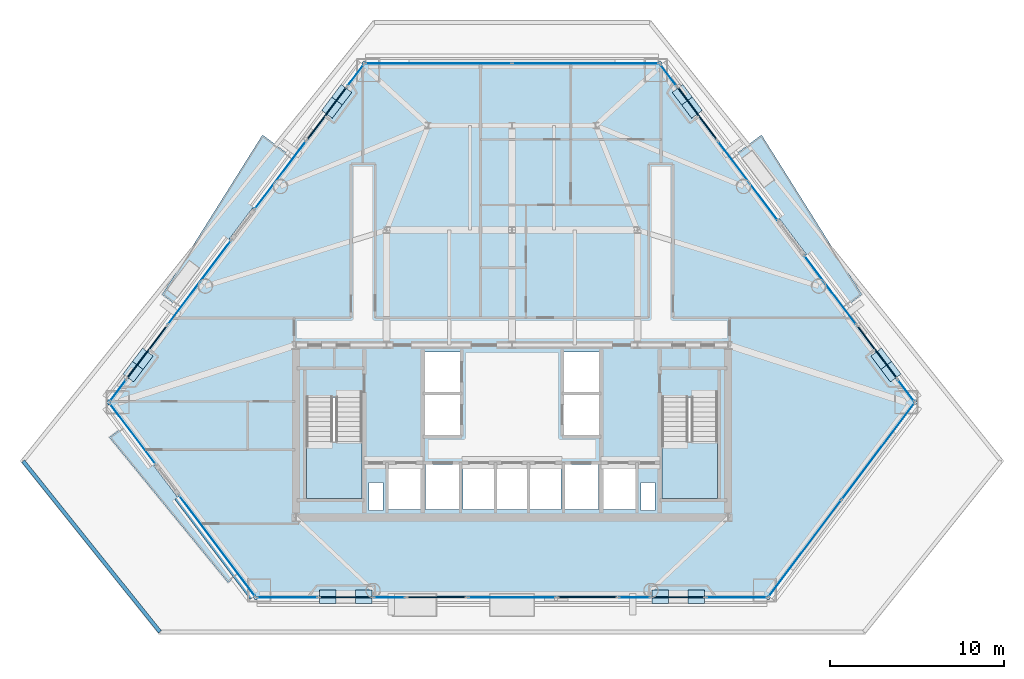
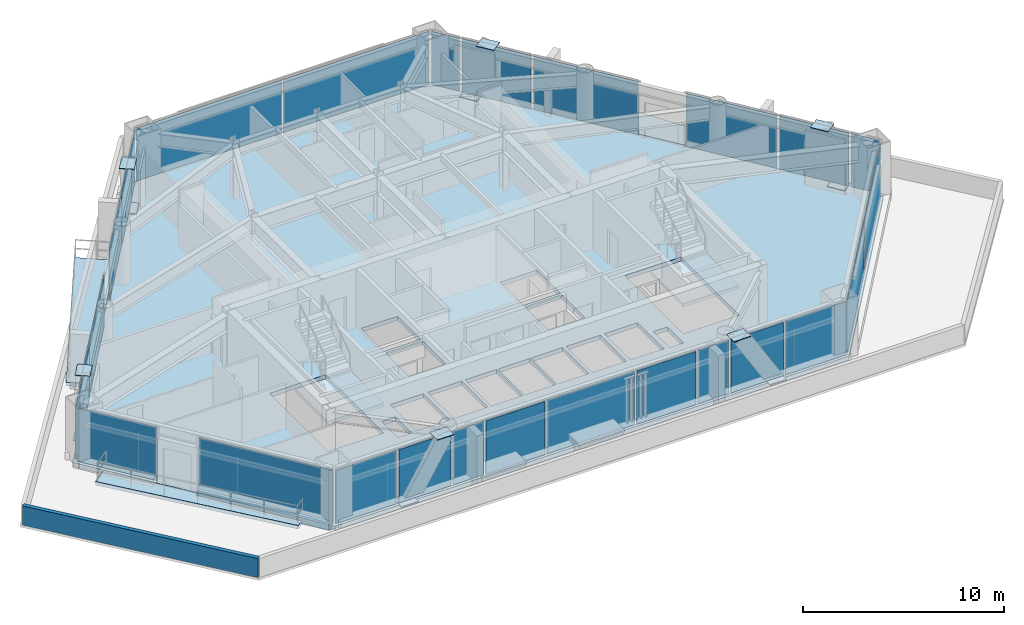
# One storey, part 6 of 13: 39 plates, 6 slabs, 2 walls, 27 elements without a shape of their own.
"""IFC4 building model written with IfcOpenShell, lengths in metres."""

from ifc_helpers import new_model, si_unit, direction, frame, frame_2d, origin, origin_2d, place, context, subcontext, project, spatial, polyline, rectangle, outline, extrude, source, transform, mapped, material, layer, layer_set, type_object, type_shapes, element, aggregate, save


model = new_model("IFC4")

# Units and contexts
model_context = context("Model", 3, precision=1e-05, world=origin(), true_north=direction((0.0, 1.0)))
body_context = subcontext(model_context, "Body", "Model", "MODEL_VIEW")
ifc_project = project(units=[si_unit("LENGTHUNIT", "METRE"), si_unit("AREAUNIT", "SQUARE_METRE"), si_unit("VOLUMEUNIT", "CUBIC_METRE"), si_unit("PLANEANGLEUNIT", "RADIAN"), si_unit("MASSUNIT", "GRAM", prefix="KILO")], contexts=[model_context])

# Site, building, storey
site_placement = place(None, origin())
site = spatial("IfcSite", under=ifc_project, at=site_placement, CompositionType="ELEMENT")
building_placement = place(site_placement, origin())
building = spatial("IfcBuilding", under=site, at=building_placement, Name="Talgorran Terracotta Tower", CompositionType="ELEMENT")
storey_placement = place(building_placement, frame((0.0, 0.0, 24.300048828125)))
storey = spatial("IfcBuildingStorey", under=building, at=storey_placement, Name="L05", CompositionType="ELEMENT", Elevation=24.300048828125)

# Plates
ifc_material_1 = material(Name="Steel Grade 350 (350L0)", Category="steel")
ifc_layer_1 = layer(ifc_material_1, 0.0400390625, Name="PL_CAP_MN05")
ifc_layer_set_1 = layer_set([ifc_layer_1], Name="Steel Grade 350 (350L0)")
plate_type_1 = type_object("IfcPlateType", Name="PL_CAP_MN05", PredefinedType="USERDEFINED", material=ifc_layer_set_1)
for number, where, z_axis, x_axis, name in (
    (1, (-10.56640625, -18.639892578125, -0.010009765625), (0.0, 0.0, 1.0), (1.0, 0.0, 0.0), "L05 Diagonal Frame End Cap SWF Bot"),
    (2, (-8.51171875, -18.639892578125, 3.31982421875), (0.0, 0.0, 1.0), (1.0, 0.0, 0.0), "L05 Diagonal Frame End Cap SWF Top"),
    (3, (10.56640625, -18.639892578125, -0.010009765625), (0.0, 0.0, 1.0), (-1.0, 0.0, 0.0), "L05 Diagonal Frame End Cap SEF Bot"),
    (4, (8.51171875, -18.639892578125, 3.31982421875), (0.0, 0.0, 1.0), (-1.0, 0.0, 0.0), "L05 Diagonal Frame End Cap SEF Top"),
    (5, (21.73095703125, -5.70361328125, -0.010009765625), (0.0, 0.0, 1.0), (-0.601815023152, 0.798635510047, 0.0), "L05 Diagonal Frame End Cap NEL Bot"),
    (6, (21.189453125, -4.985107421875, 3.31982421875), (0.0, 0.0, 1.0), (-0.601815023152, 0.798635510047, 0.0), "L05 Diagonal Frame End Cap NEL Top"),
    (7, (9.7890625, 10.143798828125, -0.010009765625), (0.0, 0.0, 1.0), (0.601815023152, -0.798635510047, 0.0), "L05 Diagonal Frame End Cap NEU Bot"),
    (8, (10.33056640625, 9.425048828125, 3.31982421875), (0.0, 0.0, 1.0), (0.601815023152, -0.798635510047, 0.0), "L05 Diagonal Frame End Cap NEU Top"),
    (9, (-9.7890625, 10.143798828125, -0.010009765625), (0.0, 0.0, 1.0), (-0.601815023152, -0.798635510047, 0.0), "L05 Diagonal Frame End Cap NWU Bot"),
    (10, (-10.33056640625, 9.425048828125, 3.31982421875), (0.0, 0.0, 1.0), (-0.601815023152, -0.798635510047, 0.0), "L05 Diagonal Frame End Cap NWU Top"),
    (11, (-21.73095703125, -5.70361328125, -0.010009765625), (0.0, 0.0, 1.0), (0.601815023152, 0.798635510047, 0.0), "L05 Diagonal Frame End Cap NWL Bot"),
    (12, (-21.189453125, -4.985107421875, 3.31982421875), (0.0, 0.0, 1.0), (0.601815023152, 0.798635510047, 0.0), "L05 Diagonal Frame End Cap NWL Top"),
):
    element("IfcPlate", number, at=place(storey_placement, frame(where, z_axis=z_axis, x_axis=x_axis)), inside=storey, type_object=plate_type_1, Name=name, ObjectType="CAP PLATE", PredefinedType="USERDEFINED", context=body_context, shape_type="SweptSolid", body=[
        extrude(rectangle(XDim=0.9599609375, YDim=0.760009765625, at=origin_2d()), origin(), (0.0, 0.0, 1.0), 0.0400390625),
    ])

# Slabs
ifc_material_2 = material(Name="Concrete C40/50", Category="concrete")
ifc_layer_2 = layer(ifc_material_2, 0.219970703125, Name="SL_BALCONY_220")
ifc_layer_set_2 = layer_set([ifc_layer_2], Name="Concrete C40/50")
slab_type_1 = type_object("IfcSlabType", Name="SL_BALCONY_220", PredefinedType="FLOOR", material=ifc_layer_set_2)
slab_1_placement = place(storey_placement, frame((0.0, 0.0, -0.219970703125)))
element("IfcSlab", 13, at=slab_1_placement, inside=storey, type_object=slab_type_1, Name="L05 Outdoor Wave Balcony BAL-NE", PredefinedType="FLOOR", context=body_context, shape_type="SweptSolid", body=[
    extrude(outline(polyline([(12.665771484375, 6.61669921875), (19.158203125, -1.998779296875), (20.078369140625, -1.305419921875), (14.317138671875, 7.861083984375), (12.665771484375, 6.61669921875)])), origin(), (0.0, 0.0, 1.0), 0.219970703125),
])
slab_2_placement = place(storey_placement, frame((0.0, 0.0, -0.219970703125)))
element("IfcSlab", 14, at=slab_2_placement, inside=storey, type_object=slab_type_1, Name="L05 Outdoor Wave Balcony BAL-NW", PredefinedType="FLOOR", context=body_context, shape_type="SweptSolid", body=[
    extrude(outline(polyline([(-19.158203125, -1.998779296875), (-12.665771484375, 6.61669921875), (-14.317138671875, 7.861083984375), (-20.078369140625, -1.305419921875), (-19.158203125, -1.998779296875)])), origin(), (0.0, 0.0, 1.0), 0.219970703125),
])
slab_3_placement = place(storey_placement, frame((0.0, 0.0, -0.219970703125)))
element("IfcSlab", 15, at=slab_3_placement, inside=storey, type_object=slab_type_1, Name="L05 Outdoor Wave Balcony BAL-SW", PredefinedType="FLOOR", context=body_context, shape_type="SweptSolid", body=[
    extrude(outline(polyline([(-15.789794921875, -17.451904296875), (-22.266845703125, -8.856689453125), (-23.11181640625, -9.493408203125), (-16.29736328125, -17.834228515625), (-15.789794921875, -17.451904296875)])), origin(), (0.0, 0.0, 1.0), 0.219970703125),
])

# Stair, slab
stair_type = type_object("IfcStairType", Name="ST_FIRE_SCISSOR", PredefinedType="HALF_TURN_STAIR", material=ifc_material_2)
stair_1_placement = place(storey_placement, origin())
stair_1 = element("IfcStair", 16, at=stair_1_placement, inside=storey, type_object=stair_type, Name="L05 West Protected Fire Stair ST-01", PredefinedType="HALF_TURN_STAIR")
ifc_layer_3 = layer(ifc_material_2, 0.199951171875, Name="SL_LANDING_200")
ifc_layer_set_3 = layer_set([ifc_layer_3], Name="Concrete C40/50")
slab_type_2 = type_object("IfcSlabType", Name="SL_LANDING_200", PredefinedType="LANDING", material=ifc_layer_set_3)
slab_4_placement = place(storey_placement, frame((0.0, 0.0, 1.599853515625)))
slab_4 = element("IfcSlab", 17, at=slab_4_placement, type_object=slab_type_2, Name="ST-01 landing 1", PredefinedType="LANDING", context=body_context, shape_type="SweptSolid", body=[
    extrude(outline(polyline([(-11.800048828125, -9.719970703125), (-11.800048828125, -13.0), (-8.60009765625, -13.0), (-8.60009765625, -9.719970703125), (-11.800048828125, -9.719970703125)])), origin(), (0.0, 0.0, 1.0), 0.2001953125),
])
aggregate(stair_1, [slab_4])

stair_2_placement = place(storey_placement, origin())
stair_2 = element("IfcStair", 18, at=stair_2_placement, inside=storey, type_object=stair_type, Name="L05 East Protected Fire Stair ST-02", PredefinedType="HALF_TURN_STAIR")
slab_5_placement = place(storey_placement, frame((0.0, 0.0, 1.599853515625)))
slab_5 = element("IfcSlab", 19, at=slab_5_placement, type_object=slab_type_2, Name="ST-02 landing 1", PredefinedType="LANDING", context=body_context, shape_type="SweptSolid", body=[
    extrude(outline(polyline([(8.60009765625, -9.719970703125), (8.60009765625, -13.0), (11.800048828125, -13.0), (11.800048828125, -9.719970703125), (8.60009765625, -9.719970703125)])), origin(), (0.0, 0.0, 1.0), 0.2001953125),
])
aggregate(stair_2, [slab_5])

# Slab
ifc_layer_4 = layer(ifc_material_2, 0.264892578125, Name="SL_TOWER_265")
ifc_layer_set_4 = layer_set([ifc_layer_4], Name="Concrete C40/50")
slab_type_3 = type_object("IfcSlabType", Name="SL_TOWER_265", PredefinedType="FLOOR", material=ifc_layer_set_4)
slab_6_placement = place(storey_placement, frame((0.0, 0.0, -0.25)))
element("IfcSlab", 20, at=slab_6_placement, inside=storey, type_object=slab_type_3, Name="Storey L05 Structural Floor Slab", PredefinedType="FLOOR", context=body_context, shape_type="SweptSolid", body=[
    extrude(outline(polyline([(-23.277587890625, -7.490478515625), (-14.755126953125, -18.800048828125), (14.755126953125, -18.800048828125), (23.277587890625, -7.490478515625), (8.5224609375, 12.09033203125), (-8.5224609375, 12.09033203125), (-23.277587890625, -7.490478515625)]), holes=[polyline([(-11.800048828125, -7.199951171875), (-11.800048828125, -13.0), (-8.60009765625, -13.0), (-8.60009765625, -7.199951171875), (-11.800048828125, -7.199951171875)]), polyline([(8.60009765625, -7.199951171875), (8.60009765625, -13.0), (11.800048828125, -13.0), (11.800048828125, -7.199951171875), (8.60009765625, -7.199951171875)]), polyline([(-7.10009765625, -13.64990234375), (-5.199951171875, -13.64990234375), (-5.199951171875, -11.050048828125), (-7.10009765625, -11.050048828125), (-7.10009765625, -13.64990234375)]), polyline([(5.199951171875, -13.64990234375), (7.10009765625, -13.64990234375), (7.10009765625, -11.050048828125), (5.199951171875, -11.050048828125), (5.199951171875, -13.64990234375)]), polyline([(3.0, -13.64990234375), (4.949951171875, -13.64990234375), (4.949951171875, -11.050048828125), (3.0, -11.050048828125), (3.0, -13.64990234375)]), polyline([(-4.949951171875, -13.64990234375), (-3.0, -13.64990234375), (-3.0, -11.050048828125), (-4.949951171875, -11.050048828125), (-4.949951171875, -13.64990234375)]), polyline([(-5.050048828125, -9.35009765625), (-2.949951171875, -9.35009765625), (-2.949951171875, -7.050048828125), (-5.050048828125, -7.050048828125), (-5.050048828125, -9.35009765625)]), polyline([(-5.050048828125, -6.89990234375), (-2.949951171875, -6.89990234375), (-2.949951171875, -4.60009765625), (-5.050048828125, -4.60009765625), (-5.050048828125, -6.89990234375)]), polyline([(2.949951171875, -9.35009765625), (5.050048828125, -9.35009765625), (5.050048828125, -7.050048828125), (2.949951171875, -7.050048828125), (2.949951171875, -9.35009765625)]), polyline([(2.949951171875, -6.89990234375), (5.050048828125, -6.89990234375), (5.050048828125, -4.60009765625), (2.949951171875, -4.60009765625), (2.949951171875, -6.89990234375)]), polyline([(-2.800048828125, -13.64990234375), (-1.0, -13.64990234375), (-1.0, -11.050048828125), (-2.800048828125, -11.050048828125), (-2.800048828125, -13.64990234375)]), polyline([(-0.89990234375, -13.64990234375), (0.89990234375, -13.64990234375), (0.89990234375, -11.050048828125), (-0.89990234375, -11.050048828125), (-0.89990234375, -13.64990234375)]), polyline([(1.0, -13.64990234375), (2.800048828125, -13.64990234375), (2.800048828125, -11.050048828125), (1.0, -11.050048828125), (1.0, -13.64990234375)]), polyline([(-8.199951171875, -13.699951171875), (-7.39990234375, -13.699951171875), (-7.39990234375, -12.10009765625), (-8.199951171875, -12.10009765625), (-8.199951171875, -13.699951171875)]), polyline([(7.39990234375, -13.699951171875), (8.199951171875, -13.699951171875), (8.199951171875, -12.10009765625), (7.39990234375, -12.10009765625), (7.39990234375, -13.699951171875)])]), origin(), (0.0, 0.0, 1.0), 0.25),
])

# Curtain wall, plate
ifc_material_3 = material(Name="Unitised Low-E Double Glazing", Category="glass")
ifc_layer_5 = layer(ifc_material_3, 0.199951171875, Name="CW_SYS2_RES_LOW")
ifc_layer_set_5 = layer_set([ifc_layer_5], Name="Unitised Low-E Double Glazing")
curtain_wall_type = type_object("IfcCurtainWallType", Name="CW_SYS2_RES_LOW", PredefinedType="NOTDEFINED", material=ifc_layer_set_5)
curtain_wall_1_placement = place(storey_placement, origin())
curtain_wall_1 = element("IfcCurtainWall", 21, at=curtain_wall_1_placement, inside=storey, type_object=curtain_wall_type, Name="CW-L05-F10", PredefinedType="NOTDEFINED")
ifc_material_4 = material(Name="Low-E Laminated Vision Glass", Category="glass")
ifc_layer_6 = layer(ifc_material_4, 0.028076171875, Name="PLT_VISION_28")
ifc_layer_set_6 = layer_set([ifc_layer_6], Name="Low-E Laminated Vision Glass")
plate_type_2 = type_object("IfcPlateType", Name="PLT_VISION_28", PredefinedType="CURTAIN_PANEL", material=ifc_layer_set_6)
shared_shape_1 = source(origin(), body_context, "Body", "SweptSolid", [
    extrude(rectangle(XDim=4.306396484375, YDim=0.028076171875, at=origin_2d()), origin(), (0.0, 0.0, 1.0), 3.219970703125),
])
plate_1_placement = place(storey_placement, frame((-21.768310546875, -9.2939453125, 0.06494140625), z_axis=(0.0, 0.0, 1.0), x_axis=(0.601801694491, -0.79864555374, 0.0)))
plate_1 = element("IfcPlate", 22, at=plate_1_placement, type_object=plate_type_2, Name="CW-L05-10 panel 1.1", PredefinedType="CURTAIN_PANEL", context=body_context, shape_type="MappedRepresentation", body=[
    mapped(shared_shape_1, transform((0.0, 0.0, 0.0), scale=1.0)),
])
aggregate(curtain_wall_1, [plate_1])

curtain_wall_2_placement = place(storey_placement, origin())
curtain_wall_2 = element("IfcCurtainWall", 23, at=curtain_wall_2_placement, inside=storey, type_object=curtain_wall_type, Name="CW-L05-F11", PredefinedType="NOTDEFINED")
shared_shape_2 = source(origin(), body_context, "Body", "SweptSolid", [
    extrude(rectangle(XDim=7.204345703125, YDim=0.028076171875, at=origin_2d()), origin(), (0.0, 0.0, 1.0), 3.219970703125),
])
plate_2_placement = place(storey_placement, frame((-16.926513671875, -15.71923828125, 0.06494140625), z_axis=(0.0, 0.0, 1.0), x_axis=(0.601811296909, -0.798638317959, 0.0)))
plate_2 = element("IfcPlate", 24, at=plate_2_placement, type_object=plate_type_2, Name="CW-L05-11 panel 1.1", PredefinedType="CURTAIN_PANEL", context=body_context, shape_type="MappedRepresentation", body=[
    mapped(shared_shape_2, transform((0.0, 0.0, 0.0), scale=1.0)),
])
aggregate(curtain_wall_2, [plate_2])

curtain_wall_3_placement = place(storey_placement, origin())
curtain_wall_3 = element("IfcCurtainWall", 25, at=curtain_wall_3_placement, inside=storey, type_object=curtain_wall_type, Name="CW-L05-F1", PredefinedType="NOTDEFINED")
shared_shape_3 = source(origin(), body_context, "Body", "SweptSolid", [
    extrude(rectangle(XDim=3.458984375, YDim=0.028076171875, at=origin_2d()), origin(), (0.0, 0.0, 1.0), 3.219970703125),
])
plate_3_placement = place(storey_placement, frame((-12.90087890625, -18.679931640625, 0.06494140625), z_axis=(0.0, 0.0, 1.0), x_axis=(1.0, 0.0, 0.0)))
plate_3 = element("IfcPlate", 26, at=plate_3_placement, type_object=plate_type_2, Name="CW-L05-1 panel 1.1", PredefinedType="CURTAIN_PANEL", context=body_context, shape_type="MappedRepresentation", body=[
    mapped(shared_shape_3, transform((0.0, 0.0, 0.0), scale=1.0)),
])
aggregate(curtain_wall_3, [plate_3])

curtain_wall_4_placement = place(storey_placement, origin())
curtain_wall_4 = element("IfcCurtainWall", 27, at=curtain_wall_4_placement, inside=storey, type_object=curtain_wall_type, Name="CW-L05-F1I", PredefinedType="NOTDEFINED")
plate_4_placement = place(storey_placement, frame((12.90087890625, -18.679931640625, 0.06494140625), z_axis=(0.0, 0.0, 1.0), x_axis=(1.0, 0.0, 0.0)))
plate_4 = element("IfcPlate", 28, at=plate_4_placement, type_object=plate_type_2, Name="CW-L05-1I panel 1.1", PredefinedType="CURTAIN_PANEL", context=body_context, shape_type="MappedRepresentation", body=[
    mapped(shared_shape_3, transform((0.0, 0.0, 0.0), scale=1.0)),
])
aggregate(curtain_wall_4, [plate_4])

curtain_wall_5_placement = place(storey_placement, origin())
curtain_wall_5 = element("IfcCurtainWall", 29, at=curtain_wall_5_placement, inside=storey, type_object=curtain_wall_type, Name="CW-L05-F1B", PredefinedType="NOTDEFINED")
ifc_material_5 = material(Name="Terracotta Insulated Spandrel", Category="masonry")
ifc_layer_7 = layer(ifc_material_5, 0.06494140625, Name="PLT_SPANDREL_TERRA")
ifc_layer_set_7 = layer_set([ifc_layer_7], Name="Terracotta Insulated Spandrel")
plate_type_3 = type_object("IfcPlateType", Name="PLT_SPANDREL_TERRA", PredefinedType="SHEET", material=ifc_layer_set_7)
shared_shape_4 = source(origin(), body_context, "Body", "SweptSolid", [
    extrude(rectangle(XDim=2.98486328125, YDim=0.06494140625, at=origin_2d()), origin(), (0.0, 0.0, 1.0), 3.219970703125),
])
plate_5_placement = place(storey_placement, frame((-9.5390625, -18.679931640625, 0.06494140625), z_axis=(0.0, 0.0, 1.0), x_axis=(1.0, 0.0, 0.0)))
plate_5 = element("IfcPlate", 30, at=plate_5_placement, type_object=plate_type_3, Name="CW-L05-1B panel 1.1", PredefinedType="CURTAIN_PANEL", context=body_context, shape_type="MappedRepresentation", body=[
    mapped(shared_shape_4, transform((0.0, 0.0, 0.0), scale=1.0)),
])
aggregate(curtain_wall_5, [plate_5])

curtain_wall_6_placement = place(storey_placement, origin())
curtain_wall_6 = element("IfcCurtainWall", 31, at=curtain_wall_6_placement, inside=storey, type_object=curtain_wall_type, Name="CW-L05-F1H", PredefinedType="NOTDEFINED")
plate_6_placement = place(storey_placement, frame((9.5390625, -18.679931640625, 0.06494140625), z_axis=(0.0, 0.0, 1.0), x_axis=(1.0, 0.0, 0.0)))
plate_6 = element("IfcPlate", 32, at=plate_6_placement, type_object=plate_type_3, Name="CW-L05-1H panel 1.1", PredefinedType="CURTAIN_PANEL", context=body_context, shape_type="MappedRepresentation", body=[
    mapped(shared_shape_4, transform((0.0, 0.0, 0.0), scale=1.0)),
])
aggregate(curtain_wall_6, [plate_6])

curtain_wall_7_placement = place(storey_placement, origin())
curtain_wall_7 = element("IfcCurtainWall", 33, at=curtain_wall_7_placement, inside=storey, type_object=curtain_wall_type, Name="CW-L05-F1C", PredefinedType="NOTDEFINED")
shared_shape_5 = source(origin(), body_context, "Body", "SweptSolid", [
    extrude(rectangle(XDim=1.7470703125, YDim=0.028076171875, at=origin_2d()), origin(), (0.0, 0.0, 1.0), 3.219970703125),
])
plate_7_placement = place(storey_placement, frame((-7.032958984375, -18.679931640625, 0.06494140625), z_axis=(0.0, 0.0, 1.0), x_axis=(1.0, 0.0, 0.0)))
plate_7 = element("IfcPlate", 34, at=plate_7_placement, type_object=plate_type_2, Name="CW-L05-1C panel 1.1", PredefinedType="CURTAIN_PANEL", context=body_context, shape_type="MappedRepresentation", body=[
    mapped(shared_shape_5, transform((0.0, 0.0, 0.0), scale=1.0)),
])
aggregate(curtain_wall_7, [plate_7])

curtain_wall_8_placement = place(storey_placement, origin())
curtain_wall_8 = element("IfcCurtainWall", 35, at=curtain_wall_8_placement, inside=storey, type_object=curtain_wall_type, Name="CW-L05-F1G", PredefinedType="NOTDEFINED")
plate_8_placement = place(storey_placement, frame((7.032958984375, -18.679931640625, 0.06494140625), z_axis=(0.0, 0.0, 1.0), x_axis=(1.0, 0.0, 0.0)))
plate_8 = element("IfcPlate", 36, at=plate_8_placement, type_object=plate_type_2, Name="CW-L05-1G panel 1.1", PredefinedType="CURTAIN_PANEL", context=body_context, shape_type="MappedRepresentation", body=[
    mapped(shared_shape_5, transform((0.0, 0.0, 0.0), scale=1.0)),
])
aggregate(curtain_wall_8, [plate_8])

curtain_wall_9_placement = place(storey_placement, origin())
curtain_wall_9 = element("IfcCurtainWall", 37, at=curtain_wall_9_placement, inside=storey, type_object=curtain_wall_type, Name="CW-L05-F1D", PredefinedType="NOTDEFINED")
shared_shape_6 = source(origin(), body_context, "Body", "SweptSolid", [
    extrude(rectangle(XDim=3.380615234375, YDim=0.06494140625, at=origin_2d()), origin(), (0.0, 0.0, 1.0), 3.219970703125),
])
plate_9_placement = place(storey_placement, frame((-4.329345703125, -18.679931640625, 0.06494140625), z_axis=(0.0, 0.0, 1.0), x_axis=(1.0, 0.0, 0.0)))
plate_9 = element("IfcPlate", 38, at=plate_9_placement, type_object=plate_type_3, Name="CW-L05-1D panel 1.1", PredefinedType="CURTAIN_PANEL", context=body_context, shape_type="MappedRepresentation", body=[
    mapped(shared_shape_6, transform((0.0, 0.0, 0.0), scale=1.0)),
])
aggregate(curtain_wall_9, [plate_9])

curtain_wall_10_placement = place(storey_placement, origin())
curtain_wall_10 = element("IfcCurtainWall", 39, at=curtain_wall_10_placement, inside=storey, type_object=curtain_wall_type, Name="CW-L05-F1F", PredefinedType="NOTDEFINED")
plate_10_placement = place(storey_placement, frame((4.329345703125, -18.679931640625, 0.06494140625), z_axis=(0.0, 0.0, 1.0), x_axis=(1.0, 0.0, 0.0)))
plate_10 = element("IfcPlate", 40, at=plate_10_placement, type_object=plate_type_3, Name="CW-L05-1F panel 1.1", PredefinedType="CURTAIN_PANEL", context=body_context, shape_type="MappedRepresentation", body=[
    mapped(shared_shape_6, transform((0.0, 0.0, 0.0), scale=1.0)),
])
aggregate(curtain_wall_10, [plate_10])

curtain_wall_11_placement = place(storey_placement, origin())
curtain_wall_11 = element("IfcCurtainWall", 41, at=curtain_wall_11_placement, inside=storey, type_object=curtain_wall_type, Name="CW-L05-F1E", PredefinedType="NOTDEFINED")
shared_shape_7 = source(origin(), body_context, "Body", "SweptSolid", [
    extrude(rectangle(XDim=4.998046875, YDim=0.028076171875, at=origin_2d()), origin(), (0.0, 0.0, 1.0), 3.219970703125),
])
plate_11_placement = place(storey_placement, frame((0.0, -18.679931640625, 0.06494140625), z_axis=(0.0, 0.0, 1.0), x_axis=(1.0, 0.0, 0.0)))
plate_11 = element("IfcPlate", 42, at=plate_11_placement, type_object=plate_type_2, Name="CW-L05-1E panel 1.1", PredefinedType="CURTAIN_PANEL", context=body_context, shape_type="MappedRepresentation", body=[
    mapped(shared_shape_7, transform((0.0, 0.0, 0.0), scale=1.0)),
])
aggregate(curtain_wall_11, [plate_11])

# Curtain wall, plates
curtain_wall_12_placement = place(storey_placement, origin())
curtain_wall_12 = element("IfcCurtainWall", 43, at=curtain_wall_12_placement, inside=storey, type_object=curtain_wall_type, Name="CW-L05-F2", PredefinedType="NOTDEFINED")
shared_shape_8 = source(origin(), body_context, "Body", "SweptSolid", [
    extrude(rectangle(XDim=6.907958984375, YDim=0.028076171875, at=origin_2d()), origin(), (0.0, 0.0, 1.0), 3.219970703125),
])
plate_12_placement = place(storey_placement, frame((16.813232421875, -15.86962890625, 0.06494140625), z_axis=(0.0, 0.0, 1.0), x_axis=(0.60181190941, 0.79863785641, 0.0)))
plate_12 = element("IfcPlate", 44, at=plate_12_placement, type_object=plate_type_2, Name="CW-L05-2 panel 1.1", PredefinedType="CURTAIN_PANEL", context=body_context, shape_type="MappedRepresentation", body=[
    mapped(shared_shape_8, transform((0.0, 0.0, 0.0), scale=1.0)),
])
plate_13_placement = place(storey_placement, frame((21.009521484375, -10.30078125, 0.06494140625), z_axis=(0.0, 0.0, 1.0), x_axis=(0.60181190941, 0.79863785641, 0.0)))
plate_13 = element("IfcPlate", 45, at=plate_13_placement, type_object=plate_type_2, Name="CW-L05-2 panel 2.1", PredefinedType="CURTAIN_PANEL", context=body_context, shape_type="MappedRepresentation", body=[
    mapped(shared_shape_8, transform((0.0, 0.0, 0.0), scale=1.0)),
])
aggregate(curtain_wall_12, [plate_12, plate_13])

# Curtain wall, plate
curtain_wall_13_placement = place(storey_placement, origin())
curtain_wall_13 = element("IfcCurtainWall", 46, at=curtain_wall_13_placement, inside=storey, type_object=curtain_wall_type, Name="CW-L05-F40", PredefinedType="NOTDEFINED")
shared_shape_9 = source(origin(), body_context, "Body", "SweptSolid", [
    extrude(rectangle(XDim=1.50732421875, YDim=0.028076171875, at=origin_2d()), origin(), (0.0, 0.0, 1.0), 3.219970703125),
])
plate_14_placement = place(storey_placement, frame((22.610595703125, -6.8046875, 0.06494140625), z_axis=(0.0, 0.0, 1.0), x_axis=(-0.601796606007, 0.798649388029, 0.0)))
plate_14 = element("IfcPlate", 47, at=plate_14_placement, type_object=plate_type_2, Name="CW-L05-40 panel 1.1", PredefinedType="CURTAIN_PANEL", context=body_context, shape_type="MappedRepresentation", body=[
    mapped(shared_shape_9, transform((0.0, 0.0, 0.0), scale=1.0)),
])
aggregate(curtain_wall_13, [plate_14])

curtain_wall_14_placement = place(storey_placement, origin())
curtain_wall_14 = element("IfcCurtainWall", 48, at=curtain_wall_14_placement, inside=storey, type_object=curtain_wall_type, Name="CW-L05-F61C", PredefinedType="NOTDEFINED")
plate_15_placement = place(storey_placement, frame((-22.610595703125, -6.8046875, 0.06494140625), z_axis=(0.0, 0.0, 1.0), x_axis=(-0.601835561594, -0.798620032807, 0.0)))
plate_15 = element("IfcPlate", 49, at=plate_15_placement, type_object=plate_type_2, Name="CW-L05-61C panel 1.1", PredefinedType="CURTAIN_PANEL", context=body_context, shape_type="MappedRepresentation", body=[
    mapped(shared_shape_9, transform((0.0, 0.0, 0.0), scale=1.0)),
])
aggregate(curtain_wall_14, [plate_15])

curtain_wall_15_placement = place(storey_placement, origin())
curtain_wall_15 = element("IfcCurtainWall", 50, at=curtain_wall_15_placement, inside=storey, type_object=curtain_wall_type, Name="CW-L05-F40B", PredefinedType="NOTDEFINED")
shared_shape_10 = source(origin(), body_context, "Body", "SweptSolid", [
    extrude(rectangle(XDim=3.729248046875, YDim=0.06494140625, at=origin_2d()), origin(), (0.0, 0.0, 1.0), 3.219970703125),
])
type_shapes(plate_type_3, [shared_shape_4, shared_shape_6, shared_shape_10])
plate_16_placement = place(storey_placement, frame((20.95068359375, -4.601806640625, 0.06494140625), z_axis=(0.0, 0.0, 1.0), x_axis=(-0.601814313624, 0.798636044714, 0.0)))
plate_16 = element("IfcPlate", 51, at=plate_16_placement, type_object=plate_type_3, Name="CW-L05-40B panel 1.1", PredefinedType="CURTAIN_PANEL", context=body_context, shape_type="MappedRepresentation", body=[
    mapped(shared_shape_10, transform((0.0, 0.0, 0.0), scale=1.0)),
])
aggregate(curtain_wall_15, [plate_16])

curtain_wall_16_placement = place(storey_placement, origin())
curtain_wall_16 = element("IfcCurtainWall", 52, at=curtain_wall_16_placement, inside=storey, type_object=curtain_wall_type, Name="CW-L05-F41B", PredefinedType="NOTDEFINED")
plate_17_placement = place(storey_placement, frame((10.63330078125, 9.08984375, 0.06494140625), z_axis=(0.0, 0.0, 1.0), x_axis=(-0.601826767546, 0.798626659876, 0.0)))
plate_17 = element("IfcPlate", 53, at=plate_17_placement, type_object=plate_type_3, Name="CW-L05-41B panel 1.1", PredefinedType="CURTAIN_PANEL", context=body_context, shape_type="MappedRepresentation", body=[
    mapped(shared_shape_10, transform((0.0, 0.0, 0.0), scale=1.0)),
])
aggregate(curtain_wall_16, [plate_17])

curtain_wall_17_placement = place(storey_placement, origin())
curtain_wall_17 = element("IfcCurtainWall", 54, at=curtain_wall_17_placement, inside=storey, type_object=curtain_wall_type, Name="CW-L05-F60B", PredefinedType="NOTDEFINED")
plate_18_placement = place(storey_placement, frame((-10.63330078125, 9.090087890625, 0.06494140625), z_axis=(0.0, 0.0, 1.0), x_axis=(-0.601814313624, -0.798636044714, 0.0)))
plate_18 = element("IfcPlate", 55, at=plate_18_placement, type_object=plate_type_3, Name="CW-L05-60B panel 1.1", PredefinedType="CURTAIN_PANEL", context=body_context, shape_type="MappedRepresentation", body=[
    mapped(shared_shape_10, transform((0.0, 0.0, 0.0), scale=1.0)),
])
aggregate(curtain_wall_17, [plate_18])

curtain_wall_18_placement = place(storey_placement, origin())
curtain_wall_18 = element("IfcCurtainWall", 56, at=curtain_wall_18_placement, inside=storey, type_object=curtain_wall_type, Name="CW-L05-F61B", PredefinedType="NOTDEFINED")
plate_19_placement = place(storey_placement, frame((-20.950439453125, -4.601806640625, 0.06494140625), z_axis=(0.0, 0.0, 1.0), x_axis=(-0.601797786547, -0.798648498469, 0.0)))
plate_19 = element("IfcPlate", 57, at=plate_19_placement, type_object=plate_type_3, Name="CW-L05-61B panel 1.1", PredefinedType="CURTAIN_PANEL", context=body_context, shape_type="MappedRepresentation", body=[
    mapped(shared_shape_10, transform((0.0, 0.0, 0.0), scale=1.0)),
])
aggregate(curtain_wall_18, [plate_19])

curtain_wall_19_placement = place(storey_placement, origin())
curtain_wall_19 = element("IfcCurtainWall", 58, at=curtain_wall_19_placement, inside=storey, type_object=curtain_wall_type, Name="CW-L05-F40C", PredefinedType="NOTDEFINED")
shared_shape_11 = source(origin(), body_context, "Body", "SweptSolid", [
    extrude(rectangle(XDim=4.89501953125, YDim=0.028076171875, at=origin_2d()), origin(), (0.0, 0.0, 1.0), 3.219970703125),
])
plate_20_placement = place(storey_placement, frame((18.271240234375, -1.046142578125, 0.06494140625), z_axis=(0.0, 0.0, 1.0), x_axis=(-0.601797447619, 0.798648753858, 0.0)))
plate_20 = element("IfcPlate", 59, at=plate_20_placement, type_object=plate_type_2, Name="CW-L05-40C panel 1.1", PredefinedType="CURTAIN_PANEL", context=body_context, shape_type="MappedRepresentation", body=[
    mapped(shared_shape_11, transform((0.0, 0.0, 0.0), scale=1.0)),
])
aggregate(curtain_wall_19, [plate_20])

curtain_wall_20_placement = place(storey_placement, origin())
curtain_wall_20 = element("IfcCurtainWall", 60, at=curtain_wall_20_placement, inside=storey, type_object=curtain_wall_type, Name="CW-L05-F41", PredefinedType="NOTDEFINED")
shared_shape_12 = source(origin(), body_context, "Body", "SweptSolid", [
    extrude(rectangle(XDim=5.649658203125, YDim=0.028076171875, at=origin_2d()), origin(), (0.0, 0.0, 1.0), 3.219970703125),
])
plate_21_placement = place(storey_placement, frame((13.53955078125, 5.23291015625, 0.06494140625), z_axis=(0.0, 0.0, 1.0), x_axis=(-0.60180897727, 0.798640065911, 0.0)))
plate_21 = element("IfcPlate", 61, at=plate_21_placement, type_object=plate_type_2, Name="CW-L05-41 panel 1.1", PredefinedType="CURTAIN_PANEL", context=body_context, shape_type="MappedRepresentation", body=[
    mapped(shared_shape_12, transform((0.0, 0.0, 0.0), scale=1.0)),
])
aggregate(curtain_wall_20, [plate_21])

curtain_wall_21_placement = place(storey_placement, origin())
curtain_wall_21 = element("IfcCurtainWall", 62, at=curtain_wall_21_placement, inside=storey, type_object=curtain_wall_type, Name="CW-L05-F41C", PredefinedType="NOTDEFINED")
shared_shape_13 = source(origin(), body_context, "Body", "SweptSolid", [
    extrude(rectangle(XDim=1.4970703125, YDim=0.028076171875, at=origin_2d()), origin(), (0.0, 0.0, 1.0), 3.219970703125),
])
plate_22_placement = place(storey_placement, frame((8.976318359375, 11.288818359375, 0.06494140625), z_axis=(0.0, 0.0, 1.0), x_axis=(-0.601797976048, 0.798648355676, 0.0)))
plate_22 = element("IfcPlate", 63, at=plate_22_placement, type_object=plate_type_2, Name="CW-L05-41C panel 1.1", PredefinedType="CURTAIN_PANEL", context=body_context, shape_type="MappedRepresentation", body=[
    mapped(shared_shape_13, transform((0.0, 0.0, 0.0), scale=1.0)),
])
aggregate(curtain_wall_21, [plate_22])

curtain_wall_22_placement = place(storey_placement, origin())
curtain_wall_22 = element("IfcCurtainWall", 64, at=curtain_wall_22_placement, inside=storey, type_object=curtain_wall_type, Name="CW-L05-F60", PredefinedType="NOTDEFINED")
plate_23_placement = place(storey_placement, frame((-8.976318359375, 11.288818359375, 0.06494140625), z_axis=(0.0, 0.0, 1.0), x_axis=(-0.601797976048, -0.798648355676, 0.0)))
plate_23 = element("IfcPlate", 65, at=plate_23_placement, type_object=plate_type_2, Name="CW-L05-60 panel 1.1", PredefinedType="CURTAIN_PANEL", context=body_context, shape_type="MappedRepresentation", body=[
    mapped(shared_shape_13, transform((0.0, 0.0, 0.0), scale=1.0)),
])
aggregate(curtain_wall_22, [plate_23])

# Curtain wall, plates
curtain_wall_23_placement = place(storey_placement, origin())
curtain_wall_23 = element("IfcCurtainWall", 66, at=curtain_wall_23_placement, inside=storey, type_object=curtain_wall_type, Name="CW-L05-F4", PredefinedType="NOTDEFINED")
shared_shape_14 = source(origin(), body_context, "Body", "SweptSolid", [
    extrude(rectangle(XDim=8.364990234375, YDim=0.028076171875, at=origin_2d()), origin(), (0.0, 0.0, 1.0), 3.219970703125),
])
plate_24_placement = place(storey_placement, frame((4.215087890625, 11.970458984375, 0.06494140625), z_axis=(0.0, 0.0, 1.0), x_axis=(-1.0, 0.0, 0.0)))
plate_24 = element("IfcPlate", 67, at=plate_24_placement, type_object=plate_type_2, Name="CW-L05-4 panel 1.1", PredefinedType="CURTAIN_PANEL", context=body_context, shape_type="MappedRepresentation", body=[
    mapped(shared_shape_14, transform((0.0, 0.0, 0.0), scale=1.0)),
])
plate_25_placement = place(storey_placement, frame((-4.215087890625, 11.970458984375, 0.06494140625), z_axis=(0.0, 0.0, 1.0), x_axis=(-1.0, 0.0, 0.0)))
plate_25 = element("IfcPlate", 68, at=plate_25_placement, type_object=plate_type_2, Name="CW-L05-4 panel 2.1", PredefinedType="CURTAIN_PANEL", context=body_context, shape_type="MappedRepresentation", body=[
    mapped(shared_shape_14, transform((0.0, 0.0, 0.0), scale=1.0)),
])
aggregate(curtain_wall_23, [plate_24, plate_25])

# Curtain wall, plate
curtain_wall_24_placement = place(storey_placement, origin())
curtain_wall_24 = element("IfcCurtainWall", 69, at=curtain_wall_24_placement, inside=storey, type_object=curtain_wall_type, Name="CW-L05-F60C", PredefinedType="NOTDEFINED")
shared_shape_15 = source(origin(), body_context, "Body", "SweptSolid", [
    extrude(rectangle(XDim=4.843505859375, YDim=0.028076171875, at=origin_2d()), origin(), (0.0, 0.0, 1.0), 3.219970703125),
])
plate_26_placement = place(storey_placement, frame((-13.297119140625, 5.554931640625, 0.06494140625), z_axis=(0.0, 0.0, 1.0), x_axis=(-0.601803219374, -0.798644404696, 0.0)))
plate_26 = element("IfcPlate", 70, at=plate_26_placement, type_object=plate_type_2, Name="CW-L05-60C panel 1.1", PredefinedType="CURTAIN_PANEL", context=body_context, shape_type="MappedRepresentation", body=[
    mapped(shared_shape_15, transform((0.0, 0.0, 0.0), scale=1.0)),
])
aggregate(curtain_wall_24, [plate_26])

curtain_wall_25_placement = place(storey_placement, origin())
curtain_wall_25 = element("IfcCurtainWall", 71, at=curtain_wall_25_placement, inside=storey, type_object=curtain_wall_type, Name="CW-L05-F61", PredefinedType="NOTDEFINED")
shared_shape_16 = source(origin(), body_context, "Body", "SweptSolid", [
    extrude(rectangle(XDim=6.0009765625, YDim=0.028076171875, at=origin_2d()), origin(), (0.0, 0.0, 1.0), 3.219970703125),
])
type_shapes(plate_type_2, [shared_shape_1, shared_shape_2, shared_shape_3, shared_shape_5, shared_shape_7, shared_shape_8, shared_shape_9, shared_shape_11, shared_shape_12, shared_shape_13, shared_shape_14, shared_shape_15, shared_shape_16])
plate_27_placement = place(storey_placement, frame((-17.938232421875, -0.6044921875, 0.06494140625), z_axis=(0.0, 0.0, 1.0), x_axis=(-0.601806970457, -0.798641578125, 0.0)))
plate_27 = element("IfcPlate", 72, at=plate_27_placement, type_object=plate_type_2, Name="CW-L05-61 panel 1.1", PredefinedType="CURTAIN_PANEL", context=body_context, shape_type="MappedRepresentation", body=[
    mapped(shared_shape_16, transform((0.0, 0.0, 0.0), scale=1.0)),
])
aggregate(curtain_wall_25, [plate_27])

# Walls
ifc_layer_8 = layer(ifc_material_2, 0.219970703125, Name="WT_PARAPET_RC")
ifc_layer_set_8 = layer_set([ifc_layer_8], Name="Concrete C40/50")
wall_type = type_object("IfcWallType", Name="WT_PARAPET_RC", PredefinedType="PARAPET", material=ifc_layer_set_8)
wall_1_placement = place(storey_placement, frame((-28.056640625, -10.85595703125, -0.02001953125), z_axis=(0.0, 0.0, 1.0), x_axis=(0.625114512917, -0.780533052305, 0.0)))
element("IfcWall", 73, at=wall_1_placement, inside=storey, type_object=wall_type, Name="WL-L05-PARAPET-1", PredefinedType="PARAPET", context=body_context, shape_type="SweptSolid", body=[
    extrude(rectangle(XDim=12.560546875, YDim=0.219970703125, at=frame_2d((6.2802734375, 0.0))), origin(), (0.0, 0.0, 1.0), 1.169921875),
])
wall_2_placement = place(storey_placement, frame((-19.212890625, -12.95068359375, -0.199951171875), z_axis=(0.0, 0.0, 1.0), x_axis=(0.601789844909, -0.798654482592, 0.0)))
element("IfcWall", 74, at=wall_2_placement, inside=storey, type_object=wall_type, Name="L05 Striped Portal Precast Cornice F11", PredefinedType="PARAPET", context=body_context, shape_type="SweptSolid", body=[
    extrude(rectangle(XDim=7.17431640625, YDim=0.360107421875, at=frame_2d((3.587158203125, 0.0))), origin(), (0.0, 0.0, 1.0), 0.3798828125),
])

save(model, "model.ifc")
